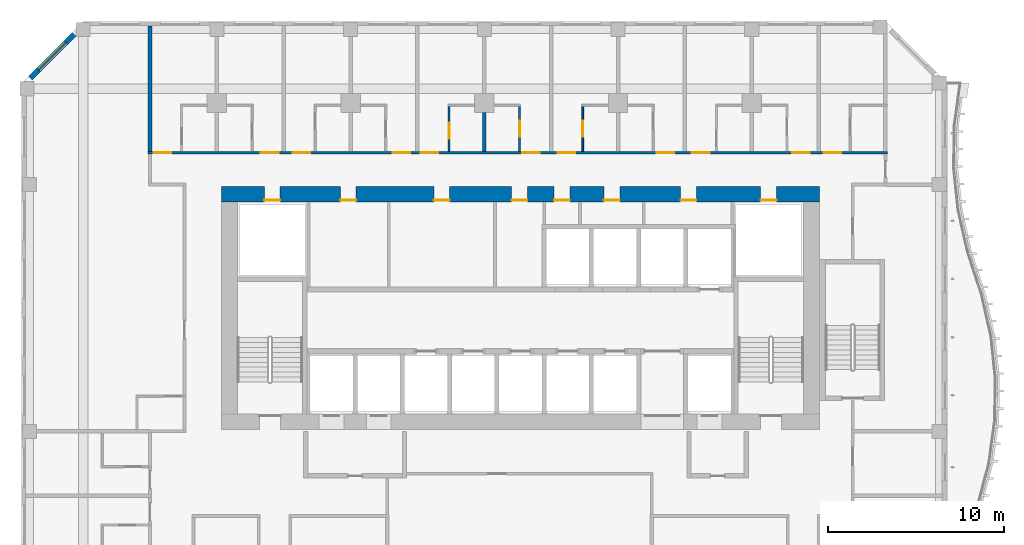
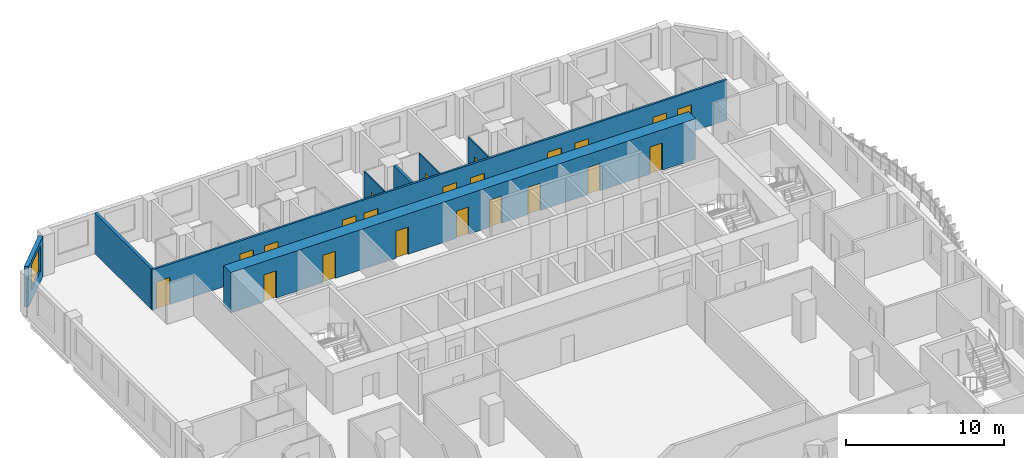
# One storey, part 8 of 23: 22 doors, 8 walls, 1 window, 23 openings.
"""IFC4 building model written with IfcOpenShell, lengths in metres."""

from ifc_helpers import new_model, si_unit, direction, frame, frame_2d, origin, place, context, subcontext, project, spatial, rectangle, extrude, source, transform, mapped, material, layer, layer_set, type_object, element, fill, save


model = new_model("IFC4")

# Units and contexts
model_context = context("Model", 3, precision=1e-05, world=origin(), true_north=direction((0.0, 1.0)))
body_context = subcontext(model_context, "Body", "Model", "MODEL_VIEW")
ifc_project = project(units=[si_unit("LENGTHUNIT", "METRE"), si_unit("AREAUNIT", "SQUARE_METRE"), si_unit("VOLUMEUNIT", "CUBIC_METRE"), si_unit("PLANEANGLEUNIT", "RADIAN"), si_unit("MASSUNIT", "GRAM", prefix="KILO")], contexts=[model_context])

# Site, building, storey
site_placement = place(None, origin())
site = spatial("IfcSite", under=ifc_project, at=site_placement, CompositionType="ELEMENT")
building_placement = place(site_placement, origin())
building = spatial("IfcBuilding", under=site, at=building_placement, Name="Kilnfold Tower and Market Hall", CompositionType="ELEMENT")
storey_placement = place(building_placement, frame((0.0, 0.0, 150.699951171875)))
storey = spatial("IfcBuildingStorey", under=building, at=storey_placement, Name="L34", CompositionType="ELEMENT", Elevation=150.699951171875)

# Wall, openings, doors
ifc_material_1 = material(Name="Gypsum board on steel studs", Category="steel")
ifc_layer_1 = layer(ifc_material_1, 0.14990234375)
ifc_layer_set_1 = layer_set([ifc_layer_1], Name="Gypsum board on steel studs")
wall_type_1 = type_object("IfcWallType", Name="WALL CORRIDOR 150", PredefinedType="PARTITIONING", material=ifc_layer_set_1)
wall_1_placement = place(storey_placement, frame((-20.05908203125, 23.800048828125, 0.0), z_axis=(0.0, 0.0, 1.0), x_axis=(1.0, 0.0, 0.0)))
wall_1 = element("IfcWall", 1, at=wall_1_placement, inside=storey, type_object=wall_type_1, Name="Partition LY22.25", PredefinedType="PARTITIONING", context=body_context, shape_type="SweptSolid", body=[
    extrude(rectangle(XDim=41.9091796875, YDim=0.14990234375, at=frame_2d((20.95458984375, 0.0))), origin(), (0.0, 0.0, 1.0), 3.1201171875),
])
opening_1_placement = place(wall_1_placement, frame((0.300048828125, 0.0, 0.0)))
opening_1 = element("IfcOpeningElement", 2, at=opening_1_placement, cuts=wall_1, Name="Opening D1", PredefinedType="OPENING", context=body_context, shape_type="SweptSolid", body=[
    extrude(rectangle(XDim=1.0, YDim=2.10009765625, at=frame_2d((0.5, 1.050048828125))), frame((0.0, 0.0849609375, 0.0), z_axis=(0.0, -1.0, 0.0), x_axis=(1.0, 0.0, 0.0)), (0.0, 0.0, 1.0), 0.169921875),
])
opening_2_placement = place(wall_1_placement, frame((6.39111328125, 0.0, 0.0)))
opening_2 = element("IfcOpeningElement", 3, at=opening_2_placement, cuts=wall_1, Name="Opening D1", PredefinedType="OPENING", context=body_context, shape_type="SweptSolid", body=[
    extrude(rectangle(XDim=1.0, YDim=2.10009765625, at=frame_2d((0.5, 1.050048828125))), frame((0.0, 0.0849609375, 0.0), z_axis=(0.0, -1.0, 0.0), x_axis=(1.0, 0.0, 0.0)), (0.0, 0.0, 1.0), 0.169921875),
])
opening_3_placement = place(wall_1_placement, frame((8.18310546875, 0.0, 0.0)))
opening_3 = element("IfcOpeningElement", 4, at=opening_3_placement, cuts=wall_1, Name="Opening D1", PredefinedType="OPENING", context=body_context, shape_type="SweptSolid", body=[
    extrude(rectangle(XDim=1.0, YDim=2.10009765625, at=frame_2d((0.5, 1.050048828125))), frame((0.0, 0.0849609375, 0.0), z_axis=(0.0, -1.0, 0.0), x_axis=(1.0, 0.0, 0.0)), (0.0, 0.0, 1.0), 0.169921875),
])
opening_4_placement = place(wall_1_placement, frame((13.8720703125, 0.0, 0.0)))
opening_4 = element("IfcOpeningElement", 5, at=opening_4_placement, cuts=wall_1, Name="Opening D1", PredefinedType="OPENING", context=body_context, shape_type="SweptSolid", body=[
    extrude(rectangle(XDim=1.0, YDim=2.10009765625, at=frame_2d((0.5, 1.050048828125))), frame((0.0, 0.0849609375, 0.0), z_axis=(0.0, -1.0, 0.0), x_axis=(1.0, 0.0, 0.0)), (0.0, 0.0, 1.0), 0.169921875),
])
opening_5_placement = place(wall_1_placement, frame((15.45703125, 0.0, 0.0)))
opening_5 = element("IfcOpeningElement", 6, at=opening_5_placement, cuts=wall_1, Name="Opening D1", PredefinedType="OPENING", context=body_context, shape_type="SweptSolid", body=[
    extrude(rectangle(XDim=1.0, YDim=2.10009765625, at=frame_2d((0.5, 1.050048828125))), frame((0.0, 0.0849609375, 0.0), z_axis=(0.0, -1.0, 0.0), x_axis=(1.0, 0.0, 0.0)), (0.0, 0.0, 1.0), 0.169921875),
])
opening_6_placement = place(wall_1_placement, frame((21.198974609375, 0.0, 0.0)))
opening_6 = element("IfcOpeningElement", 7, at=opening_6_placement, cuts=wall_1, Name="Opening D1", PredefinedType="OPENING", context=body_context, shape_type="SweptSolid", body=[
    extrude(rectangle(XDim=1.0, YDim=2.10009765625, at=frame_2d((0.5, 1.050048828125))), frame((0.0, 0.0849609375, 0.0), z_axis=(0.0, -1.0, 0.0), x_axis=(1.0, 0.0, 0.0)), (0.0, 0.0, 1.0), 0.169921875),
])
opening_7_placement = place(wall_1_placement, frame((23.2119140625, 0.0, 0.0)))
opening_7 = element("IfcOpeningElement", 8, at=opening_7_placement, cuts=wall_1, Name="Opening D1", PredefinedType="OPENING", context=body_context, shape_type="SweptSolid", body=[
    extrude(rectangle(XDim=1.0, YDim=2.10009765625, at=frame_2d((0.5, 1.050048828125))), frame((0.0, 0.0849609375, 0.0), z_axis=(0.0, -1.0, 0.0), x_axis=(1.0, 0.0, 0.0)), (0.0, 0.0, 1.0), 0.169921875),
])
opening_8_placement = place(wall_1_placement, frame((28.83203125, 0.0, 0.0)))
opening_8 = element("IfcOpeningElement", 9, at=opening_8_placement, cuts=wall_1, Name="Opening D1", PredefinedType="OPENING", context=body_context, shape_type="SweptSolid", body=[
    extrude(rectangle(XDim=1.0, YDim=2.10009765625, at=frame_2d((0.5, 1.050048828125))), frame((0.0, 0.0849609375, 0.0), z_axis=(0.0, -1.0, 0.0), x_axis=(1.0, 0.0, 0.0)), (0.0, 0.0, 1.0), 0.169921875),
])
opening_9_placement = place(wall_1_placement, frame((30.830078125, 0.0, 0.0)))
opening_9 = element("IfcOpeningElement", 10, at=opening_9_placement, cuts=wall_1, Name="Opening D1", PredefinedType="OPENING", context=body_context, shape_type="SweptSolid", body=[
    extrude(rectangle(XDim=1.0, YDim=2.10009765625, at=frame_2d((0.5, 1.050048828125))), frame((0.0, 0.0849609375, 0.0), z_axis=(0.0, -1.0, 0.0), x_axis=(1.0, 0.0, 0.0)), (0.0, 0.0, 1.0), 0.169921875),
])
opening_10_placement = place(wall_1_placement, frame((36.51904296875, 0.0, 0.0)))
opening_10 = element("IfcOpeningElement", 11, at=opening_10_placement, cuts=wall_1, Name="Opening D1", PredefinedType="OPENING", context=body_context, shape_type="SweptSolid", body=[
    extrude(rectangle(XDim=1.0, YDim=2.10009765625, at=frame_2d((0.5, 1.050048828125))), frame((0.0, 0.0849609375, 0.0), z_axis=(0.0, -1.0, 0.0), x_axis=(1.0, 0.0, 0.0)), (0.0, 0.0, 1.0), 0.169921875),
])
opening_11_placement = place(wall_1_placement, frame((38.31103515625, 0.0, 0.0)))
opening_11 = element("IfcOpeningElement", 12, at=opening_11_placement, cuts=wall_1, Name="Opening D1", PredefinedType="OPENING", context=body_context, shape_type="SweptSolid", body=[
    extrude(rectangle(XDim=1.0, YDim=2.10009765625, at=frame_2d((0.5, 1.050048828125))), frame((0.0, 0.0849609375, 0.0), z_axis=(0.0, -1.0, 0.0), x_axis=(1.0, 0.0, 0.0)), (0.0, 0.0, 1.0), 0.169921875),
])
ifc_material_2 = material(Name="Timber veneer door leaf in steel frame", Category="steel")
door_type_1 = type_object("IfcDoorType", Name="DOOR ENTRY 1000 X2100", OperationType="NOTDEFINED", PredefinedType="DOOR", material=ifc_material_2)
door_1_placement = place(opening_1_placement, origin())
door_1 = element("IfcDoor", 13, at=door_1_placement, inside=storey, type_object=door_type_1, Name="Door D1", OperationType="SINGLE_SWING_LEFT", OverallHeight=2.10009765625, OverallWidth=1.0, PredefinedType="DOOR", context=body_context, shape_type="SweptSolid", body=[
    extrude(rectangle(XDim=1.0, YDim=2.10009765625, at=frame_2d((0.5, 1.050048828125))), frame((0.0, 0.02490234375, 0.0), z_axis=(0.0, -1.0, 0.0), x_axis=(1.0, 0.0, 0.0)), (0.0, 0.0, 1.0), 0.050048828125),
])
fill(opening_1, door_1)
door_2_placement = place(opening_2_placement, origin())
door_2 = element("IfcDoor", 14, at=door_2_placement, inside=storey, type_object=door_type_1, Name="Door D1", OperationType="SINGLE_SWING_RIGHT", OverallHeight=2.10009765625, OverallWidth=1.0, PredefinedType="DOOR", context=body_context, shape_type="SweptSolid", body=[
    extrude(rectangle(XDim=1.0, YDim=2.10009765625, at=frame_2d((0.5, 1.050048828125))), frame((0.0, 0.02490234375, 0.0), z_axis=(0.0, -1.0, 0.0), x_axis=(1.0, 0.0, 0.0)), (0.0, 0.0, 1.0), 0.050048828125),
])
fill(opening_2, door_2)
door_3_placement = place(opening_3_placement, origin())
door_3 = element("IfcDoor", 15, at=door_3_placement, inside=storey, type_object=door_type_1, Name="Door D1", OperationType="SINGLE_SWING_RIGHT", OverallHeight=2.10009765625, OverallWidth=1.0, PredefinedType="DOOR", context=body_context, shape_type="SweptSolid", body=[
    extrude(rectangle(XDim=1.0, YDim=2.10009765625, at=frame_2d((0.5, 1.050048828125))), frame((0.0, 0.02490234375, 0.0), z_axis=(0.0, -1.0, 0.0), x_axis=(1.0, 0.0, 0.0)), (0.0, 0.0, 1.0), 0.050048828125),
])
fill(opening_3, door_3)
door_4_placement = place(opening_4_placement, origin())
door_4 = element("IfcDoor", 16, at=door_4_placement, inside=storey, type_object=door_type_1, Name="Door D1", OperationType="SINGLE_SWING_LEFT", OverallHeight=2.10009765625, OverallWidth=1.0, PredefinedType="DOOR", context=body_context, shape_type="SweptSolid", body=[
    extrude(rectangle(XDim=1.0, YDim=2.10009765625, at=frame_2d((0.5, 1.050048828125))), frame((0.0, 0.02490234375, 0.0), z_axis=(0.0, -1.0, 0.0), x_axis=(1.0, 0.0, 0.0)), (0.0, 0.0, 1.0), 0.050048828125),
])
fill(opening_4, door_4)
door_5_placement = place(opening_5_placement, origin())
door_5 = element("IfcDoor", 17, at=door_5_placement, inside=storey, type_object=door_type_1, Name="Door D1", OperationType="SINGLE_SWING_LEFT", OverallHeight=2.10009765625, OverallWidth=1.0, PredefinedType="DOOR", context=body_context, shape_type="SweptSolid", body=[
    extrude(rectangle(XDim=1.0, YDim=2.10009765625, at=frame_2d((0.5, 1.050048828125))), frame((0.0, 0.02490234375, 0.0), z_axis=(0.0, -1.0, 0.0), x_axis=(1.0, 0.0, 0.0)), (0.0, 0.0, 1.0), 0.050048828125),
])
fill(opening_5, door_5)
door_6_placement = place(opening_6_placement, origin())
door_6 = element("IfcDoor", 18, at=door_6_placement, inside=storey, type_object=door_type_1, Name="Door D1", OperationType="SINGLE_SWING_RIGHT", OverallHeight=2.10009765625, OverallWidth=1.0, PredefinedType="DOOR", context=body_context, shape_type="SweptSolid", body=[
    extrude(rectangle(XDim=1.0, YDim=2.10009765625, at=frame_2d((0.5, 1.050048828125))), frame((0.0, 0.02490234375, 0.0), z_axis=(0.0, -1.0, 0.0), x_axis=(1.0, 0.0, 0.0)), (0.0, 0.0, 1.0), 0.050048828125),
])
fill(opening_6, door_6)
door_7_placement = place(opening_7_placement, origin())
door_7 = element("IfcDoor", 19, at=door_7_placement, inside=storey, type_object=door_type_1, Name="Door D1", OperationType="SINGLE_SWING_LEFT", OverallHeight=2.10009765625, OverallWidth=1.0, PredefinedType="DOOR", context=body_context, shape_type="SweptSolid", body=[
    extrude(rectangle(XDim=1.0, YDim=2.10009765625, at=frame_2d((0.5, 1.050048828125))), frame((0.0, 0.02490234375, 0.0), z_axis=(0.0, -1.0, 0.0), x_axis=(1.0, 0.0, 0.0)), (0.0, 0.0, 1.0), 0.050048828125),
])
fill(opening_7, door_7)
door_8_placement = place(opening_8_placement, origin())
door_8 = element("IfcDoor", 20, at=door_8_placement, inside=storey, type_object=door_type_1, Name="Door D1", OperationType="SINGLE_SWING_LEFT", OverallHeight=2.10009765625, OverallWidth=1.0, PredefinedType="DOOR", context=body_context, shape_type="SweptSolid", body=[
    extrude(rectangle(XDim=1.0, YDim=2.10009765625, at=frame_2d((0.5, 1.050048828125))), frame((0.0, 0.02490234375, 0.0), z_axis=(0.0, -1.0, 0.0), x_axis=(1.0, 0.0, 0.0)), (0.0, 0.0, 1.0), 0.050048828125),
])
fill(opening_8, door_8)
door_9_placement = place(opening_9_placement, origin())
door_9 = element("IfcDoor", 21, at=door_9_placement, inside=storey, type_object=door_type_1, Name="Door D1", OperationType="SINGLE_SWING_LEFT", OverallHeight=2.10009765625, OverallWidth=1.0, PredefinedType="DOOR", context=body_context, shape_type="SweptSolid", body=[
    extrude(rectangle(XDim=1.0, YDim=2.10009765625, at=frame_2d((0.5, 1.050048828125))), frame((0.0, 0.02490234375, 0.0), z_axis=(0.0, -1.0, 0.0), x_axis=(1.0, 0.0, 0.0)), (0.0, 0.0, 1.0), 0.050048828125),
])
fill(opening_9, door_9)
door_10_placement = place(opening_10_placement, origin())
door_10 = element("IfcDoor", 22, at=door_10_placement, inside=storey, type_object=door_type_1, Name="Door D1", OperationType="SINGLE_SWING_RIGHT", OverallHeight=2.10009765625, OverallWidth=1.0, PredefinedType="DOOR", context=body_context, shape_type="SweptSolid", body=[
    extrude(rectangle(XDim=1.0, YDim=2.10009765625, at=frame_2d((0.5, 1.050048828125))), frame((0.0, 0.02490234375, 0.0), z_axis=(0.0, -1.0, 0.0), x_axis=(1.0, 0.0, 0.0)), (0.0, 0.0, 1.0), 0.050048828125),
])
fill(opening_10, door_10)
door_11_placement = place(opening_11_placement, origin())
door_11 = element("IfcDoor", 23, at=door_11_placement, inside=storey, type_object=door_type_1, Name="Door D1", OperationType="SINGLE_SWING_RIGHT", OverallHeight=2.10009765625, OverallWidth=1.0, PredefinedType="DOOR", context=body_context, shape_type="SweptSolid", body=[
    extrude(rectangle(XDim=1.0, YDim=2.10009765625, at=frame_2d((0.5, 1.050048828125))), frame((0.0, 0.02490234375, 0.0), z_axis=(0.0, -1.0, 0.0), x_axis=(1.0, 0.0, 0.0)), (0.0, 0.0, 1.0), 0.050048828125),
])
fill(opening_11, door_11)

# Wall, opening, door
ifc_material_3 = material(Name="Gypsum board on steel studs", Category="steel")
ifc_layer_2 = layer(ifc_material_3, 0.10009765625)
ifc_layer_set_2 = layer_set([ifc_layer_2], Name="Gypsum board on steel studs")
wall_type_2 = type_object("IfcWallType", Name="WALL PARTITION 100", PredefinedType="PARTITIONING", material=ifc_layer_set_2)
wall_2_placement = place(storey_placement, frame((-3.0, 23.876953125, 0.0), z_axis=(0.0, 0.0, 1.0), x_axis=(0.0, 1.0, 0.0)))
wall_2 = element("IfcWall", 24, at=wall_2_placement, inside=storey, type_object=wall_type_2, Name="Partition LY22.101", PredefinedType="PARTITIONING", context=body_context, shape_type="SweptSolid", body=[
    extrude(rectangle(XDim=2.574951171875, YDim=0.10009765625, at=frame_2d((1.28759765625, 0.0))), origin(), (0.0, 0.0, 1.0), 3.1201171875),
])
opening_12_placement = place(wall_2_placement, frame((0.73095703125, 0.0, 0.0)))
opening_12 = element("IfcOpeningElement", 25, at=opening_12_placement, cuts=wall_2, Name="Opening D3", PredefinedType="OPENING", context=body_context, shape_type="SweptSolid", body=[
    extrude(rectangle(XDim=0.89990234375, YDim=2.10009765625, at=frame_2d((0.449951171875, 1.050048828125))), frame((0.0, 0.06005859375, 0.0), z_axis=(0.0, -1.0, 0.0), x_axis=(1.0, 0.0, 0.0)), (0.0, 0.0, 1.0), 0.1201171875),
])
ifc_material_4 = material(Name="Timber veneer door leaf in steel frame", Category="steel")
door_type_2 = type_object("IfcDoorType", Name="DOOR WC 900 X2100", OperationType="NOTDEFINED", PredefinedType="DOOR", material=ifc_material_4)
door_12_placement = place(opening_12_placement, origin())
door_12 = element("IfcDoor", 26, at=door_12_placement, inside=storey, type_object=door_type_2, Name="Door D3", OperationType="SINGLE_SWING_RIGHT", OverallHeight=2.10009765625, OverallWidth=0.89990234375, PredefinedType="DOOR", context=body_context, shape_type="SweptSolid", body=[
    extrude(rectangle(XDim=0.89990234375, YDim=2.10009765625, at=frame_2d((0.449951171875, 1.050048828125))), frame((0.0, 0.02490234375, 0.0), z_axis=(0.0, -1.0, 0.0), x_axis=(1.0, 0.0, 0.0)), (0.0, 0.0, 1.0), 0.050048828125),
])
fill(opening_12, door_12)

wall_3_placement = place(storey_placement, frame((1.0, 23.876953125, 0.0), z_axis=(0.0, 0.0, 1.0), x_axis=(0.0, 1.0, 0.0)))
wall_3 = element("IfcWall", 27, at=wall_3_placement, inside=storey, type_object=wall_type_2, Name="Partition LY22.105", PredefinedType="PARTITIONING", context=body_context, shape_type="SweptSolid", body=[
    extrude(rectangle(XDim=2.574951171875, YDim=0.10009765625, at=frame_2d((1.28759765625, 0.0))), origin(), (0.0, 0.0, 1.0), 3.1201171875),
])
opening_13_placement = place(wall_3_placement, frame((0.8369140625, 0.0, 0.0)))
opening_13 = element("IfcOpeningElement", 28, at=opening_13_placement, cuts=wall_3, Name="Opening D3", PredefinedType="OPENING", context=body_context, shape_type="SweptSolid", body=[
    extrude(rectangle(XDim=0.89990234375, YDim=2.10009765625, at=frame_2d((0.449951171875, 1.050048828125))), frame((0.0, 0.06005859375, 0.0), z_axis=(0.0, -1.0, 0.0), x_axis=(1.0, 0.0, 0.0)), (0.0, 0.0, 1.0), 0.1201171875),
])
door_13_placement = place(opening_13_placement, origin())
door_13 = element("IfcDoor", 29, at=door_13_placement, inside=storey, type_object=door_type_2, Name="Door D3", OperationType="SINGLE_SWING_LEFT", OverallHeight=2.10009765625, OverallWidth=0.89990234375, PredefinedType="DOOR", context=body_context, shape_type="SweptSolid", body=[
    extrude(rectangle(XDim=0.89990234375, YDim=2.10009765625, at=frame_2d((0.449951171875, 1.050048828125))), frame((0.0, 0.02490234375, 0.0), z_axis=(0.0, -1.0, 0.0), x_axis=(1.0, 0.0, 0.0)), (0.0, 0.0, 1.0), 0.050048828125),
])
fill(opening_13, door_13)

wall_4_placement = place(storey_placement, frame((4.5830078125, 23.876953125, 0.0), z_axis=(0.0, 0.0, 1.0), x_axis=(0.0, 1.0, 0.0)))
wall_4 = element("IfcWall", 30, at=wall_4_placement, inside=storey, type_object=wall_type_2, Name="Partition LY22.108", PredefinedType="PARTITIONING", context=body_context, shape_type="SweptSolid", body=[
    extrude(rectangle(XDim=2.574951171875, YDim=0.10009765625, at=frame_2d((1.28759765625, 0.0))), origin(), (0.0, 0.0, 1.0), 3.1201171875),
])
opening_14_placement = place(wall_4_placement, frame((0.837890625, 0.0, 0.0)))
opening_14 = element("IfcOpeningElement", 31, at=opening_14_placement, cuts=wall_4, Name="Opening D3", PredefinedType="OPENING", context=body_context, shape_type="SweptSolid", body=[
    extrude(rectangle(XDim=0.89990234375, YDim=2.10009765625, at=frame_2d((0.449951171875, 1.050048828125))), frame((0.0, 0.06005859375, 0.0), z_axis=(0.0, -1.0, 0.0), x_axis=(1.0, 0.0, 0.0)), (0.0, 0.0, 1.0), 0.1201171875),
])
door_14_placement = place(opening_14_placement, origin())
door_14 = element("IfcDoor", 32, at=door_14_placement, inside=storey, type_object=door_type_2, Name="Door D3", OperationType="SINGLE_SWING_LEFT", OverallHeight=2.10009765625, OverallWidth=0.89990234375, PredefinedType="DOOR", context=body_context, shape_type="SweptSolid", body=[
    extrude(rectangle(XDim=0.89990234375, YDim=2.10009765625, at=frame_2d((0.449951171875, 1.050048828125))), frame((0.0, 0.02490234375, 0.0), z_axis=(0.0, -1.0, 0.0), x_axis=(1.0, 0.0, 0.0)), (0.0, 0.0, 1.0), 0.050048828125),
])
fill(opening_14, door_14)

# Walls
ifc_material_5 = material(Name="Gypsum board on steel studs", Category="steel")
ifc_layer_3 = layer(ifc_material_5, 0.199951171875)
ifc_layer_set_3 = layer_set([ifc_layer_3], Name="Gypsum board on steel studs")
wall_type_3 = type_object("IfcWallType", Name="WALL PARTY 200", PredefinedType="PARTITIONING", material=ifc_layer_set_3)
wall_5_placement = place(storey_placement, frame((-19.958984375, 23.876953125, 0.0), z_axis=(0.0, 0.0, 1.0), x_axis=(0.0, 1.0, 0.0)))
element("IfcWall", 33, at=wall_5_placement, inside=storey, type_object=wall_type_3, Name="Partition LY22.85", PredefinedType="PARTITIONING", context=body_context, shape_type="SweptSolid", body=[
    extrude(rectangle(XDim=7.123046875, YDim=0.199951171875, at=frame_2d((3.5615234375, 0.0))), origin(), (0.0, 0.0, 1.0), 3.1201171875),
])
wall_6_placement = place(storey_placement, frame((-1.0, 23.876953125, 0.0), z_axis=(0.0, 0.0, 1.0), x_axis=(0.0, 1.0, 0.0)))
element("IfcWall", 34, at=wall_6_placement, inside=storey, type_object=wall_type_3, Name="Partition LY22.103", PredefinedType="PARTITIONING", context=body_context, shape_type="SweptSolid", body=[
    extrude(rectangle(XDim=2.197998046875, YDim=0.199951171875, at=frame_2d((1.09912109375, 0.0))), origin(), (0.0, 0.0, 1.0), 3.1201171875),
])

# Wall, openings, doors
ifc_material_6 = material(Name="Concrete C70", Category="concrete")
ifc_layer_4 = layer(ifc_material_6, 0.89990234375)
ifc_layer_set_4 = layer_set([ifc_layer_4], Name="Concrete C70")
wall_type_4 = type_object("IfcWallType", Name="CORE WALL 900 C70", PredefinedType="SHEAR", material=ifc_layer_set_4)
shared_shape_1 = source(origin(), body_context, "Body", "SweptSolid", [
    extrude(rectangle(XDim=33.89990234375, YDim=0.89990234375, at=frame_2d((16.949951171875, 0.0))), origin(), (0.0, 0.0, 1.0), 3.1201171875),
])
wall_7_placement = place(storey_placement, frame((-15.89990234375, 21.449951171875, 0.0), z_axis=(0.0, 0.0, 1.0), x_axis=(1.0, 0.0, 0.0)))
wall_7 = element("IfcWall", 35, at=wall_7_placement, inside=storey, type_object=wall_type_4, Name="Core outer wall north", PredefinedType="SHEAR", context=body_context, shape_type="MappedRepresentation", body=[
    mapped(shared_shape_1, transform((0.0, 0.0, 0.0))),
])
opening_15_placement = place(wall_7_placement, frame((6.7314453125, 0.0, 0.0)))
opening_15 = element("IfcOpeningElement", 36, at=opening_15_placement, cuts=wall_7, Name="Opening KD1", PredefinedType="OPENING", context=body_context, shape_type="SweptSolid", body=[
    extrude(rectangle(XDim=0.89990234375, YDim=2.10009765625, at=frame_2d((0.449951171875, 1.050048828125))), frame((0.0, 0.4599609375, 0.0), z_axis=(0.0, -1.0, 0.0), x_axis=(1.0, 0.0, 0.0)), (0.0, 0.0, 1.0), 0.919921875),
])
opening_16_placement = place(wall_7_placement, frame((12.037841796875, 0.0, 0.0)))
opening_16 = element("IfcOpeningElement", 37, at=opening_16_placement, cuts=wall_7, Name="Opening KD1", PredefinedType="OPENING", context=body_context, shape_type="SweptSolid", body=[
    extrude(rectangle(XDim=0.89990234375, YDim=2.10009765625, at=frame_2d((0.449951171875, 1.050048828125))), frame((0.0, 0.4599609375, 0.0), z_axis=(0.0, -1.0, 0.0), x_axis=(1.0, 0.0, 0.0)), (0.0, 0.0, 1.0), 0.919921875),
])
opening_17_placement = place(wall_7_placement, frame((16.4462890625, 0.0, 0.0)))
opening_17 = element("IfcOpeningElement", 38, at=opening_17_placement, cuts=wall_7, Name="Opening KD1", PredefinedType="OPENING", context=body_context, shape_type="SweptSolid", body=[
    extrude(rectangle(XDim=0.89990234375, YDim=2.10009765625, at=frame_2d((0.449951171875, 1.050048828125))), frame((0.0, 0.4599609375, 0.0), z_axis=(0.0, -1.0, 0.0), x_axis=(1.0, 0.0, 0.0)), (0.0, 0.0, 1.0), 0.919921875),
])
opening_18_placement = place(wall_7_placement, frame((18.8583984375, 0.0, 0.0)))
opening_18 = element("IfcOpeningElement", 39, at=opening_18_placement, cuts=wall_7, Name="Opening KD1", PredefinedType="OPENING", context=body_context, shape_type="SweptSolid", body=[
    extrude(rectangle(XDim=0.89990234375, YDim=2.10009765625, at=frame_2d((0.449951171875, 1.050048828125))), frame((0.0, 0.4599609375, 0.0), z_axis=(0.0, -1.0, 0.0), x_axis=(1.0, 0.0, 0.0)), (0.0, 0.0, 1.0), 0.919921875),
])
opening_19_placement = place(wall_7_placement, frame((21.685791015625, 0.0, 0.0)))
opening_19 = element("IfcOpeningElement", 40, at=opening_19_placement, cuts=wall_7, Name="Opening KD1", PredefinedType="OPENING", context=body_context, shape_type="SweptSolid", body=[
    extrude(rectangle(XDim=0.89990234375, YDim=2.10009765625, at=frame_2d((0.449951171875, 1.050048828125))), frame((0.0, 0.4599609375, 0.0), z_axis=(0.0, -1.0, 0.0), x_axis=(1.0, 0.0, 0.0)), (0.0, 0.0, 1.0), 0.919921875),
])
opening_20_placement = place(wall_7_placement, frame((26.02734375, 0.0, 0.0)))
opening_20 = element("IfcOpeningElement", 41, at=opening_20_placement, cuts=wall_7, Name="Opening KD1", PredefinedType="OPENING", context=body_context, shape_type="SweptSolid", body=[
    extrude(rectangle(XDim=0.89990234375, YDim=2.10009765625, at=frame_2d((0.449951171875, 1.050048828125))), frame((0.0, 0.4599609375, 0.0), z_axis=(0.0, -1.0, 0.0), x_axis=(1.0, 0.0, 0.0)), (0.0, 0.0, 1.0), 0.919921875),
])
opening_21_placement = place(wall_7_placement, frame((2.425048828125, 0.0, 0.0)))
opening_21 = element("IfcOpeningElement", 42, at=opening_21_placement, cuts=wall_7, Name="Opening KD1", PredefinedType="OPENING", context=body_context, shape_type="SweptSolid", body=[
    extrude(rectangle(XDim=0.89990234375, YDim=2.10009765625, at=frame_2d((0.449951171875, 1.050048828125))), frame((0.0, 0.4599609375, 0.0), z_axis=(0.0, -1.0, 0.0), x_axis=(1.0, 0.0, 0.0)), (0.0, 0.0, 1.0), 0.919921875),
])
opening_22_placement = place(wall_7_placement, frame((30.574951171875, 0.0, 0.0)))
opening_22 = element("IfcOpeningElement", 43, at=opening_22_placement, cuts=wall_7, Name="Opening KD1", PredefinedType="OPENING", context=body_context, shape_type="SweptSolid", body=[
    extrude(rectangle(XDim=0.89990234375, YDim=2.10009765625, at=frame_2d((0.449951171875, 1.050048828125))), frame((0.0, 0.4599609375, 0.0), z_axis=(0.0, -1.0, 0.0), x_axis=(1.0, 0.0, 0.0)), (0.0, 0.0, 1.0), 0.919921875),
])
ifc_material_7 = material(Name="Steel door set with fire-resisting leaf", Category="steel")
door_type_3 = type_object("IfcDoorType", Name="SERVICE DOOR 900X2100", OperationType="NOTDEFINED", PredefinedType="DOOR", material=ifc_material_7)
door_15_placement = place(opening_15_placement, origin())
door_15 = element("IfcDoor", 44, at=door_15_placement, inside=storey, type_object=door_type_3, Name="Core service door", OperationType="SINGLE_SWING_RIGHT", OverallHeight=2.10009765625, OverallWidth=0.89990234375, PredefinedType="DOOR", context=body_context, shape_type="SweptSolid", body=[
    extrude(rectangle(XDim=0.89990234375, YDim=2.10009765625, at=frame_2d((0.449951171875, 1.050048828125))), frame((0.0, -0.30517578125, 0.0), z_axis=(0.0, -1.0, 0.0), x_axis=(1.0, 0.0, 0.0)), (0.0, 0.0, 1.0), 0.050048828125),
])
fill(opening_15, door_15)
door_16_placement = place(opening_16_placement, origin())
door_16 = element("IfcDoor", 45, at=door_16_placement, inside=storey, type_object=door_type_3, Name="Core service door", OperationType="SINGLE_SWING_LEFT", OverallHeight=2.10009765625, OverallWidth=0.89990234375, PredefinedType="DOOR", context=body_context, shape_type="SweptSolid", body=[
    extrude(rectangle(XDim=0.89990234375, YDim=2.10009765625, at=frame_2d((0.449951171875, 1.050048828125))), frame((0.0, -0.30517578125, 0.0), z_axis=(0.0, -1.0, 0.0), x_axis=(1.0, 0.0, 0.0)), (0.0, 0.0, 1.0), 0.050048828125),
])
fill(opening_16, door_16)
door_17_placement = place(opening_17_placement, origin())
door_17 = element("IfcDoor", 46, at=door_17_placement, inside=storey, type_object=door_type_3, Name="Core service door", OperationType="SINGLE_SWING_RIGHT", OverallHeight=2.10009765625, OverallWidth=0.89990234375, PredefinedType="DOOR", context=body_context, shape_type="SweptSolid", body=[
    extrude(rectangle(XDim=0.89990234375, YDim=2.10009765625, at=frame_2d((0.449951171875, 1.050048828125))), frame((0.0, -0.30517578125, 0.0), z_axis=(0.0, -1.0, 0.0), x_axis=(1.0, 0.0, 0.0)), (0.0, 0.0, 1.0), 0.050048828125),
])
fill(opening_17, door_17)
door_18_placement = place(opening_18_placement, origin())
door_18 = element("IfcDoor", 47, at=door_18_placement, inside=storey, type_object=door_type_3, Name="Core service door", OperationType="SINGLE_SWING_LEFT", OverallHeight=2.10009765625, OverallWidth=0.89990234375, PredefinedType="DOOR", context=body_context, shape_type="SweptSolid", body=[
    extrude(rectangle(XDim=0.89990234375, YDim=2.10009765625, at=frame_2d((0.449951171875, 1.050048828125))), frame((0.0, -0.30517578125, 0.0), z_axis=(0.0, -1.0, 0.0), x_axis=(1.0, 0.0, 0.0)), (0.0, 0.0, 1.0), 0.050048828125),
])
fill(opening_18, door_18)
door_19_placement = place(opening_19_placement, origin())
door_19 = element("IfcDoor", 48, at=door_19_placement, inside=storey, type_object=door_type_3, Name="Core service door", OperationType="SINGLE_SWING_RIGHT", OverallHeight=2.10009765625, OverallWidth=0.89990234375, PredefinedType="DOOR", context=body_context, shape_type="SweptSolid", body=[
    extrude(rectangle(XDim=0.89990234375, YDim=2.10009765625, at=frame_2d((0.449951171875, 1.050048828125))), frame((0.0, -0.30517578125, 0.0), z_axis=(0.0, -1.0, 0.0), x_axis=(1.0, 0.0, 0.0)), (0.0, 0.0, 1.0), 0.050048828125),
])
fill(opening_19, door_19)
door_20_placement = place(opening_20_placement, origin())
door_20 = element("IfcDoor", 49, at=door_20_placement, inside=storey, type_object=door_type_3, Name="Core service door", OperationType="SINGLE_SWING_LEFT", OverallHeight=2.10009765625, OverallWidth=0.89990234375, PredefinedType="DOOR", context=body_context, shape_type="SweptSolid", body=[
    extrude(rectangle(XDim=0.89990234375, YDim=2.10009765625, at=frame_2d((0.449951171875, 1.050048828125))), frame((0.0, -0.30517578125, 0.0), z_axis=(0.0, -1.0, 0.0), x_axis=(1.0, 0.0, 0.0)), (0.0, 0.0, 1.0), 0.050048828125),
])
fill(opening_20, door_20)
door_21_placement = place(opening_21_placement, origin())
door_21 = element("IfcDoor", 50, at=door_21_placement, inside=storey, type_object=door_type_3, Name="Electrical riser access door", OperationType="SINGLE_SWING_RIGHT", OverallHeight=2.10009765625, OverallWidth=0.89990234375, PredefinedType="DOOR", context=body_context, shape_type="SweptSolid", body=[
    extrude(rectangle(XDim=0.89990234375, YDim=2.10009765625, at=frame_2d((0.449951171875, 1.050048828125))), frame((0.0, -0.30517578125, 0.0), z_axis=(0.0, -1.0, 0.0), x_axis=(1.0, 0.0, 0.0)), (0.0, 0.0, 1.0), 0.050048828125),
])
fill(opening_21, door_21)
door_22_placement = place(opening_22_placement, origin())
door_22 = element("IfcDoor", 51, at=door_22_placement, inside=storey, type_object=door_type_3, Name="Mechanical riser access door", OperationType="SINGLE_SWING_LEFT", OverallHeight=2.10009765625, OverallWidth=0.89990234375, PredefinedType="DOOR", context=body_context, shape_type="SweptSolid", body=[
    extrude(rectangle(XDim=0.89990234375, YDim=2.10009765625, at=frame_2d((0.449951171875, 1.050048828125))), frame((0.0, -0.30517578125, 0.0), z_axis=(0.0, -1.0, 0.0), x_axis=(1.0, 0.0, 0.0)), (0.0, 0.0, 1.0), 0.050048828125),
])
fill(opening_22, door_22)

# Wall, opening, window
ifc_material_8 = material(Name="Precast concrete C50/60", Category="concrete")
ifc_layer_5 = layer(ifc_material_8, 0.300048828125)
ifc_layer_set_5 = layer_set([ifc_layer_5], Name="Precast concrete C50/60")
wall_type_5 = type_object("IfcWallType", Name="PRECAST WALL 300", PredefinedType="SOLIDWALL", material=ifc_layer_set_5)
shared_shape_2 = source(origin(), body_context, "Body", "SweptSolid", [
    extrude(rectangle(XDim=3.500244140625, YDim=0.300048828125, at=frame_2d((1.75, 0.0))), origin(), (0.0, 0.0, 1.0), 3.1201171875),
])
wall_8_placement = place(storey_placement, frame((-24.268798828125, 30.518798828125, 0.0), z_axis=(0.0, 0.0, 1.0), x_axis=(-0.707141656123, -0.70707190453, 0.0)))
wall_8 = element("IfcWall", 52, at=wall_8_placement, inside=storey, type_object=wall_type_5, Name="External wall L34 NW", PredefinedType="SOLIDWALL", context=body_context, shape_type="MappedRepresentation", body=[
    mapped(shared_shape_2, transform((0.0, 0.0, 0.0))),
])
opening_23_placement = place(wall_8_placement, frame((0.650146484375, 0.0, 0.85009765625)))
opening_23 = element("IfcOpeningElement", 53, at=opening_23_placement, cuts=wall_8, Name="Opening W2", PredefinedType="OPENING", context=body_context, shape_type="SweptSolid", body=[
    extrude(rectangle(XDim=2.199951171875, YDim=1.949951171875, at=frame_2d((1.10009765625, 0.97509765625))), frame((0.0, 0.16015625, 0.0), z_axis=(0.0, -1.0, 0.0), x_axis=(1.0, 0.0, 0.0)), (0.0, 0.0, 1.0), 0.320068359375),
])
ifc_material_9 = material(Name="Aluminium frame and double glazing", Category="aluminium")
window_type = type_object("IfcWindowType", Name="WINDOW W2 2200X1950", PartitioningType="SINGLE_PANEL", PredefinedType="WINDOW", material=ifc_material_9)
window_placement = place(opening_23_placement, origin())
window = element("IfcWindow", 54, at=window_placement, inside=storey, type_object=window_type, Name="Window W2 L34 NW-1", OverallHeight=1.949951171875, OverallWidth=2.199951171875, PartitioningType="SINGLE_PANEL", PredefinedType="WINDOW", context=body_context, shape_type="SweptSolid", body=[
    extrude(rectangle(XDim=2.199951171875, YDim=1.949951171875, at=frame_2d((1.10009765625, 0.97509765625))), frame((0.0, 0.030029296875, 0.0), z_axis=(0.0, -1.0, 0.0), x_axis=(1.0, 0.0, 0.0)), (0.0, 0.0, 1.0), 0.06005859375),
])
fill(opening_23, window)

save(model, "model.ifc")
